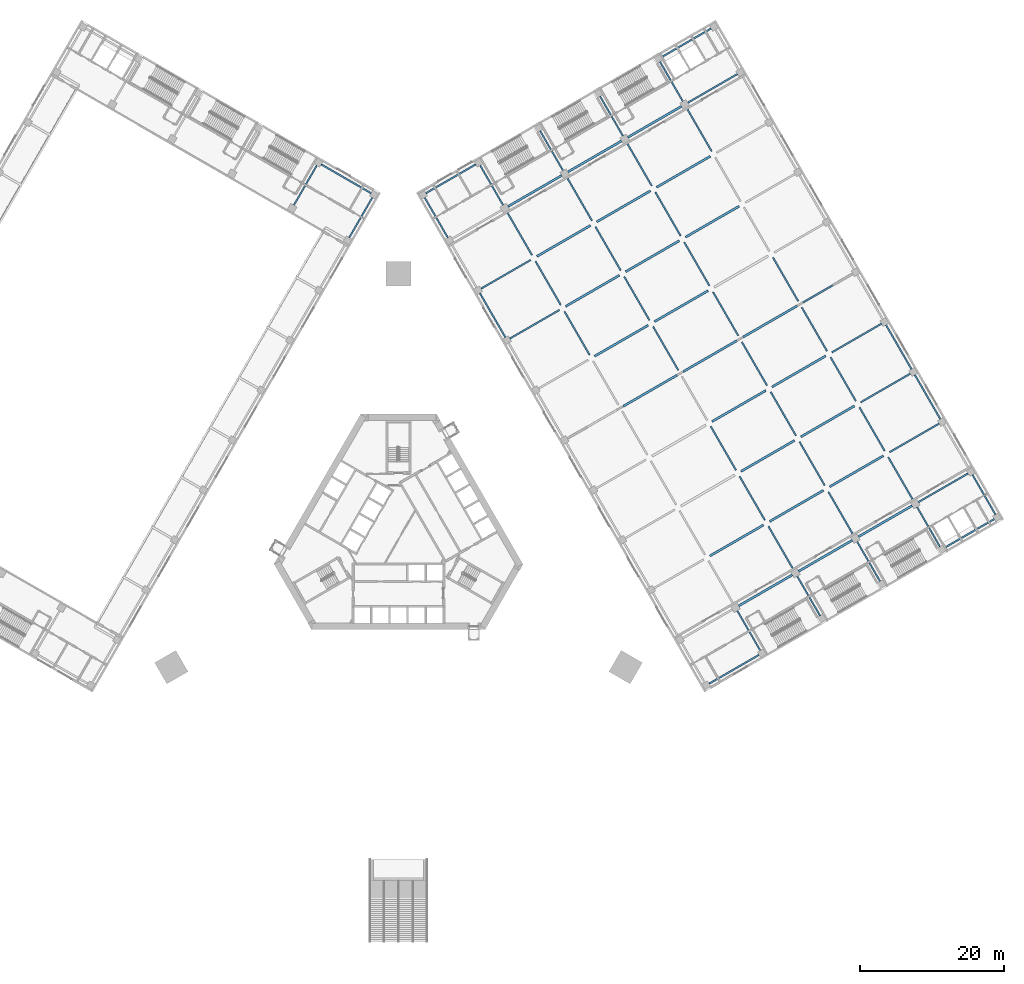
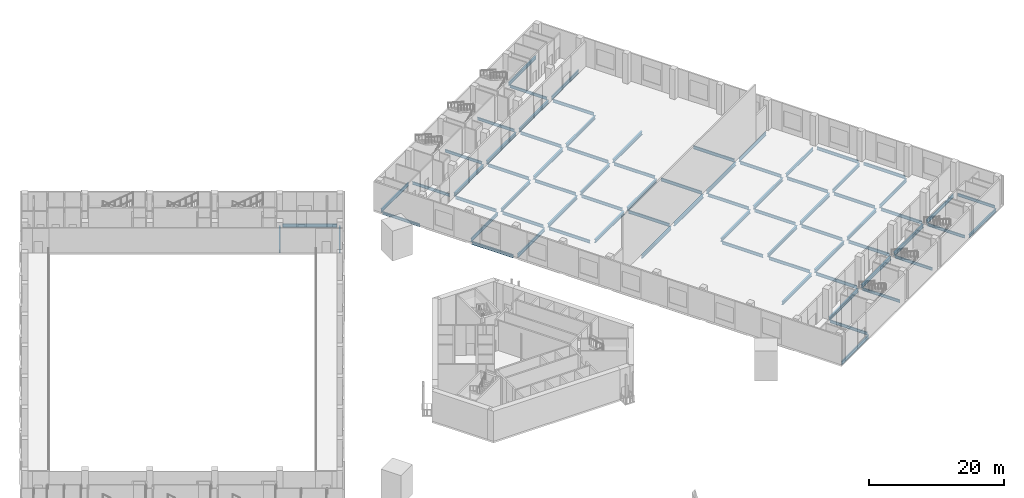
# One storey, part 6 of 35: 76 beams.
"""IFC4 building model written with IfcOpenShell, lengths in metres."""

from ifc_helpers import new_model, si_unit, direction, frame, origin, origin_2d, place, context, subcontext, project, spatial, i_section, extrude, material, material_profile, profile_set, type_object, element, save


model = new_model("IFC4")

# Units and contexts
model_context = context("Model", 3, precision=1e-05, world=origin(), true_north=direction((0.0, 1.0)))
body_context = subcontext(model_context, "Body", "Model", "MODEL_VIEW")
ifc_project = project(units=[si_unit("LENGTHUNIT", "METRE"), si_unit("AREAUNIT", "SQUARE_METRE"), si_unit("VOLUMEUNIT", "CUBIC_METRE"), si_unit("PLANEANGLEUNIT", "RADIAN"), si_unit("MASSUNIT", "GRAM", prefix="KILO")], contexts=[model_context])

# Site, building, storey
site_placement = place(None, origin())
site = spatial("IfcSite", under=ifc_project, at=site_placement, CompositionType="ELEMENT")
building_placement = place(site_placement, origin())
building = spatial("IfcBuilding", under=site, at=building_placement, Name="Mestral Congress Tower", CompositionType="ELEMENT")
storey_placement = place(building_placement, frame((0.0, 0.0, 6.0)))
storey = spatial("IfcBuildingStorey", under=building, at=storey_placement, Name="L01", CompositionType="ELEMENT", Elevation=6.0)

# Beams
ifc_material = material(Name="Steel S355", Category="steel")
ifc_material_profile_1 = material_profile(ifc_material, i_section(OverallWidth=0.300048828125, OverallDepth=0.60009765625, WebThickness=0.015380859375, FlangeThickness=0.030029296875, FilletRadius=0.027099609375, at=origin_2d()), Name="HEB 600")
ifc_profile_set_1 = profile_set([ifc_material_profile_1], Name="Steel S355")
beam_type_1 = type_object("IfcBeamType", Name="Floor beam HEB 600 S355", PredefinedType="BEAM", material=ifc_profile_set_1)
beam_1_placement = place(storey_placement, frame((47.201171875, -9.69873046875, -0.60009765625), z_axis=(0.866021068297, 0.500007509209, 0.0), x_axis=(-0.500007509209, 0.866021068297, 0.0)))
element("IfcBeam", 1, at=beam_1_placement, inside=storey, type_object=beam_type_1, Name="BM-L01-E-V02B", PredefinedType="BEAM", context=body_context, shape_type="SweptSolid", body=[
    extrude(i_section(OverallWidth=0.300048828125, OverallDepth=0.60009765625, WebThickness=0.015380859375, FlangeThickness=0.030029296875, FilletRadius=0.027099609375, at=origin_2d()), origin(), (0.0, 0.0, 1.0), 8.599853515625),
])
beam_2_placement = place(storey_placement, frame((55.514892578125, -4.898681640625, -0.60009765625), z_axis=(0.86604045752, 0.499973925258, 0.0), x_axis=(-0.499973925258, 0.86604045752, 0.0)))
element("IfcBeam", 2, at=beam_2_placement, inside=storey, type_object=beam_type_1, Name="BM-L01-E-V02C", PredefinedType="BEAM", context=body_context, shape_type="SweptSolid", body=[
    extrude(i_section(OverallWidth=0.300048828125, OverallDepth=0.60009765625, WebThickness=0.015380859375, FlangeThickness=0.030029296875, FilletRadius=0.027099609375, at=origin_2d()), origin(), (0.0, 0.0, 1.0), 8.60009765625),
])
for number, where, z_axis, x_axis, name in (
    (3, (63.828857421875, -0.098876953125, -0.60009765625), (0.866021068297, 0.500007509209, 0.0), (-0.500007509209, 0.866021068297, 0.0), "BM-L01-E-V02D"),
    (4, (43.201171875, -2.7705078125, -0.60009765625), (0.866033360935, 0.499986217557, 0.0), (-0.499986217557, 0.866033360935, 0.0), "BM-L01-E-V03B"),
):
    element("IfcBeam", number, at=place(storey_placement, frame(where, z_axis=z_axis, x_axis=x_axis)), inside=storey, type_object=beam_type_1, Name=name, PredefinedType="BEAM", context=body_context, shape_type="SweptSolid", body=[
        extrude(i_section(OverallWidth=0.300048828125, OverallDepth=0.60009765625, WebThickness=0.015380859375, FlangeThickness=0.030029296875, FilletRadius=0.027099609375, at=origin_2d()), origin(), (0.0, 0.0, 1.0), 8.599853515625),
    ])
beam_3_placement = place(storey_placement, frame((51.514892578125, 2.029296875, -0.60009765625), z_axis=(0.866028165386, 0.499995216735, 0.0), x_axis=(-0.499995216735, 0.866028165386, 0.0)))
element("IfcBeam", 5, at=beam_3_placement, inside=storey, type_object=beam_type_1, Name="BM-L01-E-V03C", PredefinedType="BEAM", context=body_context, shape_type="SweptSolid", body=[
    extrude(i_section(OverallWidth=0.300048828125, OverallDepth=0.60009765625, WebThickness=0.015380859375, FlangeThickness=0.030029296875, FilletRadius=0.027099609375, at=origin_2d()), origin(), (0.0, 0.0, 1.0), 8.60009765625),
])
beam_4_placement = place(storey_placement, frame((59.828857421875, 6.829345703125, -0.60009765625), z_axis=(0.866021068297, 0.500007509209, 0.0), x_axis=(-0.500007509209, 0.866021068297, 0.0)))
element("IfcBeam", 6, at=beam_4_placement, inside=storey, type_object=beam_type_1, Name="BM-L01-E-V03D", PredefinedType="BEAM", context=body_context, shape_type="SweptSolid", body=[
    extrude(i_section(OverallWidth=0.300048828125, OverallDepth=0.60009765625, WebThickness=0.015380859375, FlangeThickness=0.030029296875, FilletRadius=0.027099609375, at=origin_2d()), origin(), (0.0, 0.0, 1.0), 8.599853515625),
])
beam_5_placement = place(storey_placement, frame((47.514892578125, 8.95751953125, -0.60009765625), z_axis=(0.866028165386, 0.499995216735, 0.0), x_axis=(-0.499995216735, 0.866028165386, 0.0)))
element("IfcBeam", 7, at=beam_5_placement, inside=storey, type_object=beam_type_1, Name="BM-L01-E-V04C", PredefinedType="BEAM", context=body_context, shape_type="SweptSolid", body=[
    extrude(i_section(OverallWidth=0.300048828125, OverallDepth=0.60009765625, WebThickness=0.015380859375, FlangeThickness=0.030029296875, FilletRadius=0.027099609375, at=origin_2d()), origin(), (0.0, 0.0, 1.0), 8.60009765625),
])
beam_6_placement = place(storey_placement, frame((55.828857421875, 13.757568359375, -0.60009765625), z_axis=(0.866021068297, 0.500007509209, 0.0), x_axis=(-0.500007509209, 0.866021068297, 0.0)))
element("IfcBeam", 8, at=beam_6_placement, inside=storey, type_object=beam_type_1, Name="BM-L01-E-V04D", PredefinedType="BEAM", context=body_context, shape_type="SweptSolid", body=[
    extrude(i_section(OverallWidth=0.300048828125, OverallDepth=0.60009765625, WebThickness=0.015380859375, FlangeThickness=0.030029296875, FilletRadius=0.027099609375, at=origin_2d()), origin(), (0.0, 0.0, 1.0), 8.599853515625),
])
beam_7_placement = place(storey_placement, frame((43.514892578125, 15.8857421875, -0.60009765625), z_axis=(0.866028165386, 0.499995216735, 0.0), x_axis=(-0.499995216735, 0.866028165386, 0.0)))
element("IfcBeam", 9, at=beam_7_placement, inside=storey, type_object=beam_type_1, Name="BM-L01-E-V05C", PredefinedType="BEAM", context=body_context, shape_type="SweptSolid", body=[
    extrude(i_section(OverallWidth=0.300048828125, OverallDepth=0.60009765625, WebThickness=0.015380859375, FlangeThickness=0.030029296875, FilletRadius=0.027099609375, at=origin_2d()), origin(), (0.0, 0.0, 1.0), 8.60009765625),
])
for number, where, z_axis, x_axis, name in (
    (10, (51.828857421875, 20.685791015625, -0.60009765625), (0.866021068297, 0.500007509209, 0.0), (-0.500007509209, 0.866021068297, 0.0), "BM-L01-E-V05D"),
    (11, (31.201171875, 18.013916015625, -0.60009765625), (0.866021068297, 0.500007509209, 0.0), (-0.500007509209, 0.866021068297, 0.0), "BM-L01-E-V06B"),
):
    element("IfcBeam", number, at=place(storey_placement, frame(where, z_axis=z_axis, x_axis=x_axis)), inside=storey, type_object=beam_type_1, Name=name, PredefinedType="BEAM", context=body_context, shape_type="SweptSolid", body=[
        extrude(i_section(OverallWidth=0.300048828125, OverallDepth=0.60009765625, WebThickness=0.015380859375, FlangeThickness=0.030029296875, FilletRadius=0.027099609375, at=origin_2d()), origin(), (0.0, 0.0, 1.0), 8.599853515625),
    ])
beam_8_placement = place(storey_placement, frame((39.514892578125, 22.81396484375, -0.60009765625), z_axis=(0.866028165386, 0.499995216735, 0.0), x_axis=(-0.499995216735, 0.866028165386, 0.0)))
element("IfcBeam", 12, at=beam_8_placement, inside=storey, type_object=beam_type_1, Name="BM-L01-E-V06C", PredefinedType="BEAM", context=body_context, shape_type="SweptSolid", body=[
    extrude(i_section(OverallWidth=0.300048828125, OverallDepth=0.60009765625, WebThickness=0.015380859375, FlangeThickness=0.030029296875, FilletRadius=0.027099609375, at=origin_2d()), origin(), (0.0, 0.0, 1.0), 8.60009765625),
])
for number, where, z_axis, x_axis, name in (
    (13, (47.828857421875, 27.614013671875, -0.60009765625), (0.866021068297, 0.500007509209, 0.0), (-0.500007509209, 0.866021068297, 0.0), "BM-L01-E-V06D"),
    (14, (27.201171875, 24.942138671875, -0.60009765625), (0.866021068297, 0.500007509209, 0.0), (-0.500007509209, 0.866021068297, 0.0), "BM-L01-E-V07B"),
):
    element("IfcBeam", number, at=place(storey_placement, frame(where, z_axis=z_axis, x_axis=x_axis)), inside=storey, type_object=beam_type_1, Name=name, PredefinedType="BEAM", context=body_context, shape_type="SweptSolid", body=[
        extrude(i_section(OverallWidth=0.300048828125, OverallDepth=0.60009765625, WebThickness=0.015380859375, FlangeThickness=0.030029296875, FilletRadius=0.027099609375, at=origin_2d()), origin(), (0.0, 0.0, 1.0), 8.599853515625),
    ])
beam_9_placement = place(storey_placement, frame((35.514892578125, 29.7421875, -0.60009765625), z_axis=(0.866028165386, 0.499995216735, 0.0), x_axis=(-0.499995216735, 0.866028165386, 0.0)))
element("IfcBeam", 15, at=beam_9_placement, inside=storey, type_object=beam_type_1, Name="BM-L01-E-V07C", PredefinedType="BEAM", context=body_context, shape_type="SweptSolid", body=[
    extrude(i_section(OverallWidth=0.300048828125, OverallDepth=0.60009765625, WebThickness=0.015380859375, FlangeThickness=0.030029296875, FilletRadius=0.027099609375, at=origin_2d()), origin(), (0.0, 0.0, 1.0), 8.60009765625),
])
beam_10_placement = place(storey_placement, frame((23.201171875, 31.870361328125, -0.60009765625), z_axis=(0.866021068297, 0.500007509209, 0.0), x_axis=(-0.500007509209, 0.866021068297, 0.0)))
element("IfcBeam", 16, at=beam_10_placement, inside=storey, type_object=beam_type_1, Name="BM-L01-E-V08B", PredefinedType="BEAM", context=body_context, shape_type="SweptSolid", body=[
    extrude(i_section(OverallWidth=0.300048828125, OverallDepth=0.60009765625, WebThickness=0.015380859375, FlangeThickness=0.030029296875, FilletRadius=0.027099609375, at=origin_2d()), origin(), (0.0, 0.0, 1.0), 8.599853515625),
])
beam_11_placement = place(storey_placement, frame((31.514892578125, 36.67041015625, -0.60009765625), z_axis=(0.866028165386, 0.499995216735, 0.0), x_axis=(-0.499995216735, 0.866028165386, 0.0)))
element("IfcBeam", 17, at=beam_11_placement, inside=storey, type_object=beam_type_1, Name="BM-L01-E-V08C", PredefinedType="BEAM", context=body_context, shape_type="SweptSolid", body=[
    extrude(i_section(OverallWidth=0.300048828125, OverallDepth=0.60009765625, WebThickness=0.015380859375, FlangeThickness=0.030029296875, FilletRadius=0.027099609375, at=origin_2d()), origin(), (0.0, 0.0, 1.0), 8.60009765625),
])
for number, where, z_axis, x_axis, name in (
    (18, (39.828857421875, 41.470458984375, -0.60009765625), (0.866021068297, 0.500007509209, 0.0), (-0.500007509209, 0.866021068297, 0.0), "BM-L01-E-V08D"),
    (19, (19.201171875, 38.798583984375, -0.60009765625), (0.866021068297, 0.500007509209, 0.0), (-0.500007509209, 0.866021068297, 0.0), "BM-L01-E-V09B"),
):
    element("IfcBeam", number, at=place(storey_placement, frame(where, z_axis=z_axis, x_axis=x_axis)), inside=storey, type_object=beam_type_1, Name=name, PredefinedType="BEAM", context=body_context, shape_type="SweptSolid", body=[
        extrude(i_section(OverallWidth=0.300048828125, OverallDepth=0.60009765625, WebThickness=0.015380859375, FlangeThickness=0.030029296875, FilletRadius=0.027099609375, at=origin_2d()), origin(), (0.0, 0.0, 1.0), 8.599853515625),
    ])
beam_12_placement = place(storey_placement, frame((27.514892578125, 43.5986328125, -0.60009765625), z_axis=(0.866028165386, 0.499995216735, 0.0), x_axis=(-0.499995216735, 0.866028165386, 0.0)))
element("IfcBeam", 20, at=beam_12_placement, inside=storey, type_object=beam_type_1, Name="BM-L01-E-V09C", PredefinedType="BEAM", context=body_context, shape_type="SweptSolid", body=[
    extrude(i_section(OverallWidth=0.300048828125, OverallDepth=0.60009765625, WebThickness=0.015380859375, FlangeThickness=0.030029296875, FilletRadius=0.027099609375, at=origin_2d()), origin(), (0.0, 0.0, 1.0), 8.60009765625),
])
for number, where, z_axis, x_axis, name in (
    (21, (35.828857421875, 48.398681640625, -0.60009765625), (0.866033360935, 0.499986217557, 0.0), (-0.499986217557, 0.866033360935, 0.0), "BM-L01-E-V09D"),
    (22, (15.201171875, 45.726806640625, -0.60009765625), (0.866021068297, 0.500007509209, 0.0), (-0.500007509209, 0.866021068297, 0.0), "BM-L01-E-V10B"),
):
    element("IfcBeam", number, at=place(storey_placement, frame(where, z_axis=z_axis, x_axis=x_axis)), inside=storey, type_object=beam_type_1, Name=name, PredefinedType="BEAM", context=body_context, shape_type="SweptSolid", body=[
        extrude(i_section(OverallWidth=0.300048828125, OverallDepth=0.60009765625, WebThickness=0.015380859375, FlangeThickness=0.030029296875, FilletRadius=0.027099609375, at=origin_2d()), origin(), (0.0, 0.0, 1.0), 8.599853515625),
    ])
beam_13_placement = place(storey_placement, frame((23.514892578125, 50.52685546875, -0.60009765625), z_axis=(0.866028165386, 0.499995216735, 0.0), x_axis=(-0.499995216735, 0.866028165386, 0.0)))
element("IfcBeam", 23, at=beam_13_placement, inside=storey, type_object=beam_type_1, Name="BM-L01-E-V10C", PredefinedType="BEAM", context=body_context, shape_type="SweptSolid", body=[
    extrude(i_section(OverallWidth=0.300048828125, OverallDepth=0.60009765625, WebThickness=0.015380859375, FlangeThickness=0.030029296875, FilletRadius=0.027099609375, at=origin_2d()), origin(), (0.0, 0.0, 1.0), 8.60009765625),
])
beam_14_placement = place(storey_placement, frame((31.828857421875, 55.326904296875, -0.60009765625), z_axis=(0.866033360935, 0.499986217557, 0.0), x_axis=(-0.499986217557, 0.866033360935, 0.0)))
element("IfcBeam", 24, at=beam_14_placement, inside=storey, type_object=beam_type_1, Name="BM-L01-E-V10D", PredefinedType="BEAM", context=body_context, shape_type="SweptSolid", body=[
    extrude(i_section(OverallWidth=0.300048828125, OverallDepth=0.60009765625, WebThickness=0.015380859375, FlangeThickness=0.030029296875, FilletRadius=0.027099609375, at=origin_2d()), origin(), (0.0, 0.0, 1.0), 8.599853515625),
])
ifc_material_profile_2 = material_profile(ifc_material, i_section(OverallWidth=0.199951171875, OverallDepth=0.5, WebThickness=0.01025390625, FlangeThickness=0.01611328125, FilletRadius=0.02099609375, at=origin_2d()), Name="IPE 500")
ifc_profile_set_2 = profile_set([ifc_material_profile_2], Name="Steel S355")
beam_type_2 = type_object("IfcBeamType", Name="Floor beam IPE 500 S355", PredefinedType="BEAM", material=ifc_profile_set_2)
beam_15_placement = place(storey_placement, frame((6.83544921875, 41.41650390625, -0.550048828125), z_axis=(-0.499999833739, 0.866025499775, 0.0), x_axis=(-0.866025499775, -0.499999833739, 0.0)))
element("IfcBeam", 25, at=beam_15_placement, inside=storey, type_object=beam_type_2, Name="BM-L01-E-U10A", PredefinedType="BEAM", context=body_context, shape_type="SweptSolid", body=[
    extrude(i_section(OverallWidth=0.199951171875, OverallDepth=0.5, WebThickness=0.01025390625, FlangeThickness=0.01611328125, FilletRadius=0.02099609375, at=origin_2d()), origin(), (0.0, 0.0, 1.0), 6.39990234375),
])
for number, where, z_axis, x_axis, name in (
    (26, (50.193115234375, -15.881103515625, -0.550048828125), (-0.500005339912, 0.866022320763, 0.0), (-0.866022320763, -0.500005339912, 0.0), "BM-L01-E-U01B"),
    (27, (14.51806640625, 45.909912109375, -0.550048828125), (-0.500005339912, 0.866022320763, 0.0), (-0.866022320763, -0.500005339912, 0.0), "BM-L01-E-U10B"),
    (28, (58.507080078125, -11.0810546875, -0.550048828125), (-0.500005339912, 0.866022320763, 0.0), (-0.866022320763, -0.500005339912, 0.0), "BM-L01-E-U01C"),
    (29, (22.83203125, 50.709716796875, -0.550048828125), (-0.500005339912, 0.866022320763, 0.0), (-0.866022320763, -0.500005339912, 0.0), "BM-L01-E-U10C"),
    (30, (66.82080078125, -6.281005859375, -0.550048828125), (-0.500005339912, 0.866022320763, 0.0), (-0.866022320763, -0.500005339912, 0.0), "BM-L01-E-U01D"),
    (31, (31.145751953125, 55.509765625, -0.550048828125), (-0.500005339912, 0.866022320763, 0.0), (-0.866022320763, -0.500005339912, 0.0), "BM-L01-E-U10D"),
):
    element("IfcBeam", number, at=place(storey_placement, frame(where, z_axis=z_axis, x_axis=x_axis)), inside=storey, type_object=beam_type_2, Name=name, PredefinedType="BEAM", context=body_context, shape_type="SweptSolid", body=[
        extrude(i_section(OverallWidth=0.199951171875, OverallDepth=0.5, WebThickness=0.01025390625, FlangeThickness=0.01611328125, FilletRadius=0.02099609375, at=origin_2d()), origin(), (0.0, 0.0, 1.0), 6.35009765625),
    ])
beam_16_placement = place(storey_placement, frame((75.134765625, -1.481201171875, -0.550048828125), z_axis=(-0.499988692146, 0.866031932279, 0.0), x_axis=(-0.866031932279, -0.499988692146, 0.0)))
element("IfcBeam", 32, at=beam_16_placement, inside=storey, type_object=beam_type_2, Name="BM-L01-E-U01E", PredefinedType="BEAM", context=body_context, shape_type="SweptSolid", body=[
    extrude(i_section(OverallWidth=0.199951171875, OverallDepth=0.5, WebThickness=0.01025390625, FlangeThickness=0.01611328125, FilletRadius=0.02099609375, at=origin_2d()), origin(), (0.0, 0.0, 1.0), 6.350341796875),
])
beam_17_placement = place(storey_placement, frame((39.459716796875, 60.309814453125, -0.550048828125), z_axis=(-0.500005339912, 0.866022320763, 0.0), x_axis=(-0.866022320763, -0.500005339912, 0.0)))
element("IfcBeam", 33, at=beam_17_placement, inside=storey, type_object=beam_type_2, Name="BM-L01-E-U10E", PredefinedType="BEAM", context=body_context, shape_type="SweptSolid", body=[
    extrude(i_section(OverallWidth=0.199951171875, OverallDepth=0.5, WebThickness=0.01025390625, FlangeThickness=0.01611328125, FilletRadius=0.02099609375, at=origin_2d()), origin(), (0.0, 0.0, 1.0), 6.35009765625),
])
for number, where, z_axis, x_axis, name in (
    (34, (82.84228515625, 2.968994140625, -0.550048828125), (-0.499999833739, 0.866025499775, 0.0), (-0.866025499775, -0.499999833739, 0.0), "BM-L01-E-U01F"),
    (35, (-3.635498046875, 46.958984375, -0.550048828125), (-0.499999833739, -0.866025499775, 0.0), (0.866025499775, -0.499999833739, 0.0), "BM-L01-W-U01A"),
):
    element("IfcBeam", number, at=place(storey_placement, frame(where, z_axis=z_axis, x_axis=x_axis)), inside=storey, type_object=beam_type_2, Name=name, PredefinedType="BEAM", context=body_context, shape_type="SweptSolid", body=[
        extrude(i_section(OverallWidth=0.199951171875, OverallDepth=0.5, WebThickness=0.01025390625, FlangeThickness=0.01611328125, FilletRadius=0.02099609375, at=origin_2d()), origin(), (0.0, 0.0, 1.0), 6.39990234375),
    ])
beam_18_placement = place(storey_placement, frame((-11.343017578125, 51.4091796875, -0.550048828125), z_axis=(-0.500005339912, -0.866022320763, 0.0), x_axis=(0.866022320763, -0.500005339912, 0.0)))
element("IfcBeam", 36, at=beam_18_placement, inside=storey, type_object=beam_type_2, Name="BM-L01-W-U01B", PredefinedType="BEAM", context=body_context, shape_type="SweptSolid", body=[
    extrude(i_section(OverallWidth=0.199951171875, OverallDepth=0.5, WebThickness=0.01025390625, FlangeThickness=0.01611328125, FilletRadius=0.02099609375, at=origin_2d()), origin(), (0.0, 0.0, 1.0), 6.35009765625),
])
ifc_material_profile_3 = material_profile(ifc_material, i_section(OverallWidth=0.2099609375, OverallDepth=0.550048828125, WebThickness=0.010986328125, FlangeThickness=0.01708984375, FilletRadius=0.02392578125, at=origin_2d()), Name="IPE 550")
ifc_profile_set_3 = profile_set([ifc_material_profile_3], Name="Steel S355")
beam_type_3 = type_object("IfcBeamType", Name="Floor beam IPE 550 S355", PredefinedType="BEAM", material=ifc_profile_set_3)
beam_19_placement = place(storey_placement, frame((14.83544921875, 27.56005859375, -0.574951171875), z_axis=(-0.499996289485, 0.866027546041, 0.0), x_axis=(-0.866027546041, -0.499996289485, 0.0)))
element("IfcBeam", 37, at=beam_19_placement, inside=storey, type_object=beam_type_3, Name="BM-L01-E-U08A", PredefinedType="BEAM", context=body_context, shape_type="SweptSolid", body=[
    extrude(i_section(OverallWidth=0.2099609375, OverallDepth=0.550048828125, WebThickness=0.010986328125, FlangeThickness=0.01708984375, FilletRadius=0.02392578125, at=origin_2d()), origin(), (0.0, 0.0, 1.0), 7.10009765625),
])
beam_20_placement = place(storey_placement, frame((26.51806640625, 25.125244140625, -0.574951171875), z_axis=(-0.499995173006, 0.866028190633, 0.0), x_axis=(-0.866028190633, -0.499995173006, 0.0)))
element("IfcBeam", 38, at=beam_20_placement, inside=storey, type_object=beam_type_3, Name="BM-L01-E-U07B", PredefinedType="BEAM", context=body_context, shape_type="SweptSolid", body=[
    extrude(i_section(OverallWidth=0.2099609375, OverallDepth=0.550048828125, WebThickness=0.010986328125, FlangeThickness=0.01708984375, FilletRadius=0.02392578125, at=origin_2d()), origin(), (0.0, 0.0, 1.0), 7.0),
])
for number, where, z_axis, x_axis, name in (
    (39, (22.51806640625, 32.053466796875, -0.574951171875), (-0.500010275428, 0.866019471182, 0.0), (-0.866019471182, -0.500010275428, 0.0), "BM-L01-E-U08B"),
    (40, (18.51806640625, 38.981689453125, -0.574951171875), (-0.500010275428, 0.866019471182, 0.0), (-0.866019471182, -0.500010275428, 0.0), "BM-L01-E-U09B"),
):
    element("IfcBeam", number, at=place(storey_placement, frame(where, z_axis=z_axis, x_axis=x_axis)), inside=storey, type_object=beam_type_3, Name=name, PredefinedType="BEAM", context=body_context, shape_type="SweptSolid", body=[
        extrude(i_section(OverallWidth=0.2099609375, OverallDepth=0.550048828125, WebThickness=0.010986328125, FlangeThickness=0.01708984375, FilletRadius=0.02392578125, at=origin_2d()), origin(), (0.0, 0.0, 1.0), 6.999755859375),
    ])
for number, where, z_axis, x_axis, name in (
    (41, (54.83203125, -4.7158203125, -0.574951171875), (-0.499995173006, 0.866028190633, 0.0), (-0.866028190633, -0.499995173006, 0.0), "BM-L01-E-U02C"),
    (42, (50.83203125, 2.21240234375, -0.574951171875), (-0.499995173006, 0.866028190633, 0.0), (-0.866028190633, -0.499995173006, 0.0), "BM-L01-E-U03C"),
    (43, (46.83203125, 9.140625, -0.574951171875), (-0.499995173006, 0.866028190633, 0.0), (-0.866028190633, -0.499995173006, 0.0), "BM-L01-E-U04C"),
):
    element("IfcBeam", number, at=place(storey_placement, frame(where, z_axis=z_axis, x_axis=x_axis)), inside=storey, type_object=beam_type_3, Name=name, PredefinedType="BEAM", context=body_context, shape_type="SweptSolid", body=[
        extrude(i_section(OverallWidth=0.2099609375, OverallDepth=0.550048828125, WebThickness=0.010986328125, FlangeThickness=0.01708984375, FilletRadius=0.02392578125, at=origin_2d()), origin(), (0.0, 0.0, 1.0), 7.0),
    ])
for number, where, z_axis, x_axis, name in (
    (44, (38.83203125, 22.9970703125, -0.574951171875), (-0.500010275428, 0.866019471182, 0.0), (-0.866019471182, -0.500010275428, 0.0), "BM-L01-E-U06C"),
    (45, (34.83203125, 29.92529296875, -0.574951171875), (-0.500010275428, 0.866019471182, 0.0), (-0.866019471182, -0.500010275428, 0.0), "BM-L01-E-U07C"),
    (46, (30.83203125, 36.853515625, -0.574951171875), (-0.500010275428, 0.866019471182, 0.0), (-0.866019471182, -0.500010275428, 0.0), "BM-L01-E-U08C"),
):
    element("IfcBeam", number, at=place(storey_placement, frame(where, z_axis=z_axis, x_axis=x_axis)), inside=storey, type_object=beam_type_3, Name=name, PredefinedType="BEAM", context=body_context, shape_type="SweptSolid", body=[
        extrude(i_section(OverallWidth=0.2099609375, OverallDepth=0.550048828125, WebThickness=0.010986328125, FlangeThickness=0.01708984375, FilletRadius=0.02392578125, at=origin_2d()), origin(), (0.0, 0.0, 1.0), 6.999755859375),
    ])
for number, where, z_axis, x_axis, name in (
    (47, (26.83203125, 43.781494140625, -0.574951171875), (-0.499995173006, 0.866028190633, 0.0), (-0.866028190633, -0.499995173006, 0.0), "BM-L01-E-U09C"),
    (48, (63.145751953125, 0.084228515625, -0.574951171875), (-0.499995173006, 0.866028190633, 0.0), (-0.866028190633, -0.499995173006, 0.0), "BM-L01-E-U02D"),
    (49, (59.145751953125, 7.012451171875, -0.574951171875), (-0.499995173006, 0.866028190633, 0.0), (-0.866028190633, -0.499995173006, 0.0), "BM-L01-E-U03D"),
):
    element("IfcBeam", number, at=place(storey_placement, frame(where, z_axis=z_axis, x_axis=x_axis)), inside=storey, type_object=beam_type_3, Name=name, PredefinedType="BEAM", context=body_context, shape_type="SweptSolid", body=[
        extrude(i_section(OverallWidth=0.2099609375, OverallDepth=0.550048828125, WebThickness=0.010986328125, FlangeThickness=0.01708984375, FilletRadius=0.02392578125, at=origin_2d()), origin(), (0.0, 0.0, 1.0), 7.0),
    ])
for number, where, z_axis, x_axis, name in (
    (50, (55.145751953125, 13.940673828125, -0.574951171875), (-0.500010275428, 0.866019471182, 0.0), (-0.866019471182, -0.500010275428, 0.0), "BM-L01-E-U04D"),
    (51, (51.145751953125, 20.868896484375, -0.574951171875), (-0.500010275428, 0.866019471182, 0.0), (-0.866019471182, -0.500010275428, 0.0), "BM-L01-E-U05D"),
    (52, (47.145751953125, 27.797119140625, -0.574951171875), (-0.500010275428, 0.866019471182, 0.0), (-0.866019471182, -0.500010275428, 0.0), "BM-L01-E-U06D"),
):
    element("IfcBeam", number, at=place(storey_placement, frame(where, z_axis=z_axis, x_axis=x_axis)), inside=storey, type_object=beam_type_3, Name=name, PredefinedType="BEAM", context=body_context, shape_type="SweptSolid", body=[
        extrude(i_section(OverallWidth=0.2099609375, OverallDepth=0.550048828125, WebThickness=0.010986328125, FlangeThickness=0.01708984375, FilletRadius=0.02392578125, at=origin_2d()), origin(), (0.0, 0.0, 1.0), 6.999755859375),
    ])
for number, where, z_axis, x_axis, name in (
    (53, (43.145751953125, 34.72509765625, -0.574951171875), (-0.499995173006, 0.866028190633, 0.0), (-0.866028190633, -0.499995173006, 0.0), "BM-L01-E-U07D"),
    (54, (39.145751953125, 41.6533203125, -0.574951171875), (-0.499995173006, 0.866028190633, 0.0), (-0.866028190633, -0.499995173006, 0.0), "BM-L01-E-U08D"),
    (55, (35.145751953125, 48.58154296875, -0.574951171875), (-0.499995173006, 0.866028190633, 0.0), (-0.866028190633, -0.499995173006, 0.0), "BM-L01-E-U09D"),
):
    element("IfcBeam", number, at=place(storey_placement, frame(where, z_axis=z_axis, x_axis=x_axis)), inside=storey, type_object=beam_type_3, Name=name, PredefinedType="BEAM", context=body_context, shape_type="SweptSolid", body=[
        extrude(i_section(OverallWidth=0.2099609375, OverallDepth=0.550048828125, WebThickness=0.010986328125, FlangeThickness=0.01708984375, FilletRadius=0.02392578125, at=origin_2d()), origin(), (0.0, 0.0, 1.0), 7.0),
    ])
for number, where, z_axis, x_axis, name in (
    (56, (71.459716796875, 4.88427734375, -0.574951171875), (-0.500010275428, 0.866019471182, 0.0), (-0.866019471182, -0.500010275428, 0.0), "BM-L01-E-U02E"),
    (57, (67.459716796875, 11.8125, -0.574951171875), (-0.500010275428, 0.866019471182, 0.0), (-0.866019471182, -0.500010275428, 0.0), "BM-L01-E-U03E"),
):
    element("IfcBeam", number, at=place(storey_placement, frame(where, z_axis=z_axis, x_axis=x_axis)), inside=storey, type_object=beam_type_3, Name=name, PredefinedType="BEAM", context=body_context, shape_type="SweptSolid", body=[
        extrude(i_section(OverallWidth=0.2099609375, OverallDepth=0.550048828125, WebThickness=0.010986328125, FlangeThickness=0.01708984375, FilletRadius=0.02392578125, at=origin_2d()), origin(), (0.0, 0.0, 1.0), 6.999755859375),
    ])
for number, where, z_axis, x_axis, name in (
    (58, (63.459716796875, 18.740478515625, -0.574951171875), (-0.499995173006, 0.866028190633, 0.0), (-0.866028190633, -0.499995173006, 0.0), "BM-L01-E-U04E"),
    (59, (59.459716796875, 25.668701171875, -0.574951171875), (-0.499995173006, 0.866028190633, 0.0), (-0.866028190633, -0.499995173006, 0.0), "BM-L01-E-U05E"),
    (60, (55.459716796875, 32.596923828125, -0.574951171875), (-0.499995173006, 0.866028190633, 0.0), (-0.866028190633, -0.499995173006, 0.0), "BM-L01-E-U06E"),
    (61, (43.459716796875, 53.381591796875, -0.574951171875), (-0.499995173006, 0.866028190633, 0.0), (-0.866028190633, -0.499995173006, 0.0), "BM-L01-E-U09E"),
):
    element("IfcBeam", number, at=place(storey_placement, frame(where, z_axis=z_axis, x_axis=x_axis)), inside=storey, type_object=beam_type_3, Name=name, PredefinedType="BEAM", context=body_context, shape_type="SweptSolid", body=[
        extrude(i_section(OverallWidth=0.2099609375, OverallDepth=0.550048828125, WebThickness=0.010986328125, FlangeThickness=0.01708984375, FilletRadius=0.02392578125, at=origin_2d()), origin(), (0.0, 0.0, 1.0), 7.0),
    ])
for number, where, z_axis, x_axis, name in (
    (62, (75.1923828125, 16.218994140625, -0.574951171875), (-0.499996289485, 0.866027546041, 0.0), (-0.866027546041, -0.499996289485, 0.0), "BM-L01-E-U03F"),
    (63, (71.1923828125, 23.147216796875, -0.574951171875), (-0.499996289485, 0.866027546041, 0.0), (-0.866027546041, -0.499996289485, 0.0), "BM-L01-E-U04F"),
):
    element("IfcBeam", number, at=place(storey_placement, frame(where, z_axis=z_axis, x_axis=x_axis)), inside=storey, type_object=beam_type_3, Name=name, PredefinedType="BEAM", context=body_context, shape_type="SweptSolid", body=[
        extrude(i_section(OverallWidth=0.2099609375, OverallDepth=0.550048828125, WebThickness=0.010986328125, FlangeThickness=0.01708984375, FilletRadius=0.02392578125, at=origin_2d()), origin(), (0.0, 0.0, 1.0), 7.10009765625),
    ])
ifc_material_profile_4 = material_profile(ifc_material, i_section(OverallWidth=0.219970703125, OverallDepth=0.60009765625, WebThickness=0.011962890625, FlangeThickness=0.01904296875, FilletRadius=0.02392578125, at=origin_2d()), Name="IPE 600")
ifc_profile_set_4 = profile_set([ifc_material_profile_4], Name="Steel S355")
beam_type_4 = type_object("IfcBeamType", Name="Floor beam IPE 600 S355", PredefinedType="BEAM", material=ifc_profile_set_4)
beam_21_placement = place(storey_placement, frame((43.10009765625, -20.495849609375, -0.60009765625), z_axis=(0.866026010844, 0.49999894854, 0.0), x_axis=(-0.49999894854, 0.866026010844, 0.0)))
element("IfcBeam", 64, at=beam_21_placement, inside=storey, type_object=beam_type_4, Name="BM-L01-E-V01A", PredefinedType="BEAM", context=body_context, shape_type="SweptSolid", body=[
    extrude(i_section(OverallWidth=0.219970703125, OverallDepth=0.60009765625, WebThickness=0.011962890625, FlangeThickness=0.01904296875, FilletRadius=0.02392578125, at=origin_2d()), origin(), (0.0, 0.0, 1.0), 8.0),
])
beam_22_placement = place(storey_placement, frame((75.74951171875, -1.645751953125, -0.60009765625), z_axis=(0.866018381195, 0.500012163284, 0.0), x_axis=(-0.500012163284, 0.866018381195, 0.0)))
element("IfcBeam", 65, at=beam_22_placement, inside=storey, type_object=beam_type_4, Name="BM-L01-E-V01E", PredefinedType="BEAM", context=body_context, shape_type="SweptSolid", body=[
    extrude(i_section(OverallWidth=0.219970703125, OverallDepth=0.60009765625, WebThickness=0.011962890625, FlangeThickness=0.01904296875, FilletRadius=0.02392578125, at=origin_2d()), origin(), (0.0, 0.0, 1.0), 7.999755859375),
])
for number, where, z_axis, x_axis, name in (
    (66, (72.142578125, 4.701171875, -0.60009765625), (0.86602347488, 0.500003340945, 0.0), (-0.500003340945, 0.86602347488, 0.0), "BM-L01-E-V02E"),
    (67, (68.142578125, 11.62939453125, -0.60009765625), (0.86602347488, 0.500003340945, 0.0), (-0.500003340945, 0.86602347488, 0.0), "BM-L01-E-V03E"),
    (68, (64.142578125, 18.5576171875, -0.60009765625), (0.86602347488, 0.500003340945, 0.0), (-0.500003340945, 0.86602347488, 0.0), "BM-L01-E-V04E"),
):
    element("IfcBeam", number, at=place(storey_placement, frame(where, z_axis=z_axis, x_axis=x_axis)), inside=storey, type_object=beam_type_4, Name=name, PredefinedType="BEAM", context=body_context, shape_type="SweptSolid", body=[
        extrude(i_section(OverallWidth=0.219970703125, OverallDepth=0.60009765625, WebThickness=0.011962890625, FlangeThickness=0.01904296875, FilletRadius=0.02392578125, at=origin_2d()), origin(), (0.0, 0.0, 1.0), 7.9501953125),
    ])
for number, where, z_axis, x_axis, name in (
    (69, (60.142578125, 25.48583984375, -0.60009765625), (0.866036772208, 0.499980308795, 0.0), (-0.499980308795, 0.866036772208, 0.0), "BM-L01-E-V05E"),
    (70, (56.142578125, 32.4140625, -0.60009765625), (0.866036772208, 0.499980308795, 0.0), (-0.499980308795, 0.866036772208, 0.0), "BM-L01-E-V06E"),
    (71, (15.4501953125, 27.3955078125, -0.60009765625), (0.866036772208, 0.499980308795, 0.0), (-0.499980308795, 0.866036772208, 0.0), "BM-L01-E-V08A"),
):
    element("IfcBeam", number, at=place(storey_placement, frame(where, z_axis=z_axis, x_axis=x_axis)), inside=storey, type_object=beam_type_4, Name=name, PredefinedType="BEAM", context=body_context, shape_type="SweptSolid", body=[
        extrude(i_section(OverallWidth=0.219970703125, OverallDepth=0.60009765625, WebThickness=0.011962890625, FlangeThickness=0.01904296875, FilletRadius=0.02392578125, at=origin_2d()), origin(), (0.0, 0.0, 1.0), 7.949951171875),
    ])
for number, where, z_axis, x_axis, name in (
    (72, (11.4501953125, 34.323486328125, -0.60009765625), (0.86602347488, 0.500003340945, 0.0), (-0.500003340945, 0.86602347488, 0.0), "BM-L01-E-V09A"),
    (73, (40.142578125, 60.126708984375, -0.60009765625), (0.86602347488, 0.500003340945, 0.0), (-0.500003340945, 0.86602347488, 0.0), "BM-L01-E-V10E"),
):
    element("IfcBeam", number, at=place(storey_placement, frame(where, z_axis=z_axis, x_axis=x_axis)), inside=storey, type_object=beam_type_4, Name=name, PredefinedType="BEAM", context=body_context, shape_type="SweptSolid", body=[
        extrude(i_section(OverallWidth=0.219970703125, OverallDepth=0.60009765625, WebThickness=0.011962890625, FlangeThickness=0.01904296875, FilletRadius=0.02392578125, at=origin_2d()), origin(), (0.0, 0.0, 1.0), 7.9501953125),
    ])
for number, where, z_axis, x_axis, name in (
    (74, (3.80029296875, 47.57373046875, -0.60009765625), (0.866026010844, 0.49999894854, 0.0), (-0.49999894854, 0.866026010844, 0.0), "BM-L01-E-V11A"),
    (75, (36.449462890625, 66.423828125, -0.60009765625), (0.866026010844, 0.49999894854, 0.0), (-0.49999894854, 0.866026010844, 0.0), "BM-L01-E-V11E"),
    (76, (-3.80029296875, 47.57373046875, -0.60009765625), (-0.866026010844, 0.49999894854, 0.0), (-0.49999894854, -0.866026010844, 0.0), "BM-L01-W-V01A"),
):
    element("IfcBeam", number, at=place(storey_placement, frame(where, z_axis=z_axis, x_axis=x_axis)), inside=storey, type_object=beam_type_4, Name=name, PredefinedType="BEAM", context=body_context, shape_type="SweptSolid", body=[
        extrude(i_section(OverallWidth=0.219970703125, OverallDepth=0.60009765625, WebThickness=0.011962890625, FlangeThickness=0.01904296875, FilletRadius=0.02392578125, at=origin_2d()), origin(), (0.0, 0.0, 1.0), 8.0),
    ])

save(model, "model.ifc")
